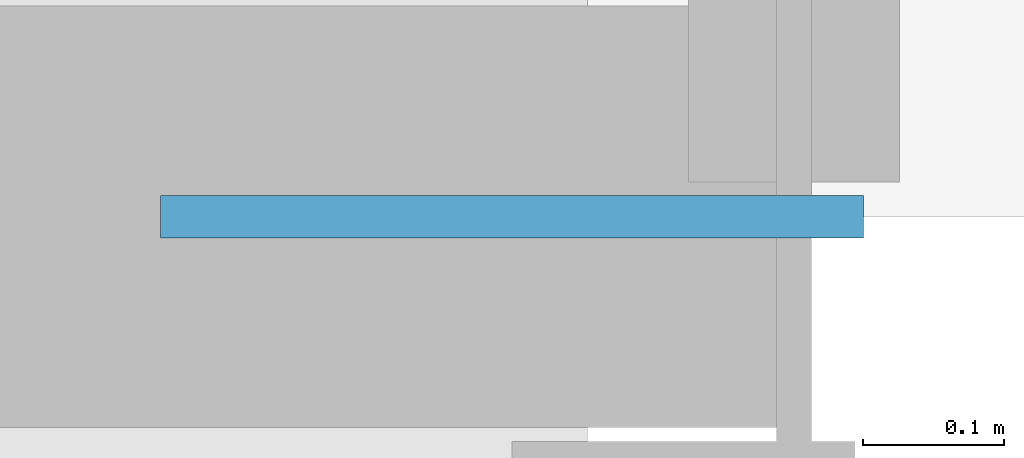
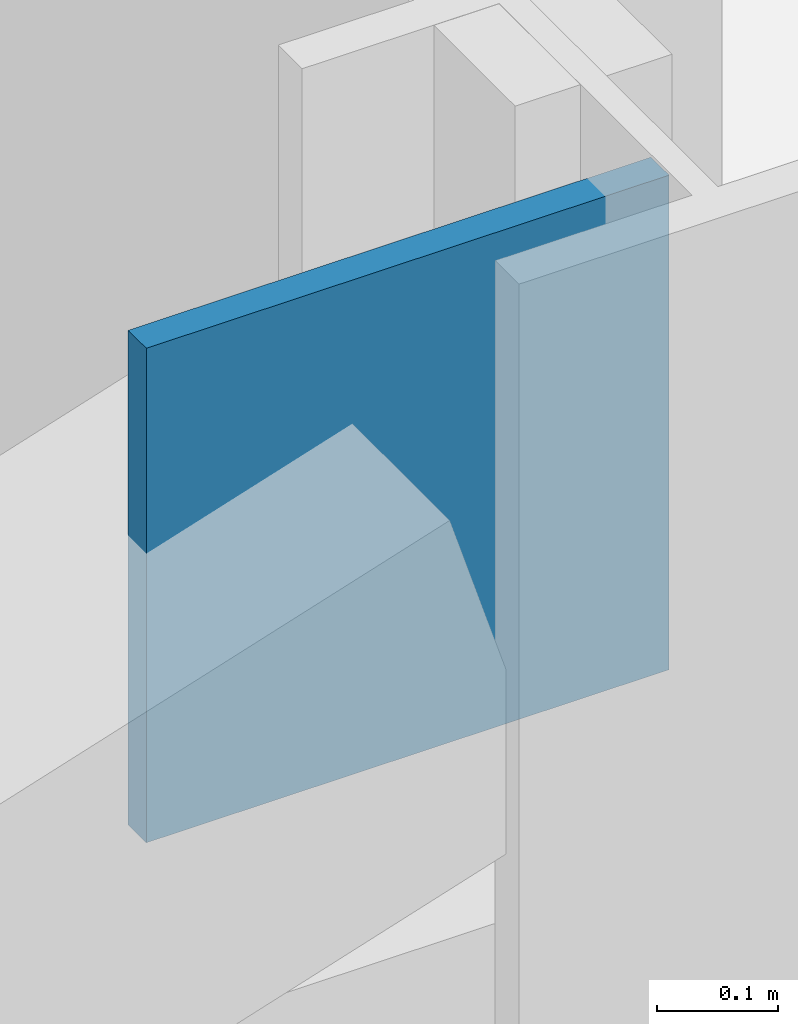
# One storey, part 21 of 30: 1 discrete accessory.
"""IFC4 building model written with IfcOpenShell, lengths in metres."""

from ifc_helpers import new_model, si_unit, direction, frame, origin, origin_2d, place, context, subcontext, project, spatial, rectangle, extrude, material, layer, layer_set, type_object, element, save


model = new_model("IFC4")

# Units and contexts
model_context = context("Model", 3, precision=1e-05, world=origin(), true_north=direction((0.0, 1.0)))
body_context = subcontext(model_context, "Body", "Model", "MODEL_VIEW")
ifc_project = project(units=[si_unit("LENGTHUNIT", "METRE"), si_unit("AREAUNIT", "SQUARE_METRE"), si_unit("VOLUMEUNIT", "CUBIC_METRE"), si_unit("PLANEANGLEUNIT", "RADIAN"), si_unit("MASSUNIT", "GRAM", prefix="KILO")], contexts=[model_context])

# Site, building, storey
site_placement = place(None, origin())
site = spatial("IfcSite", under=ifc_project, at=site_placement, CompositionType="ELEMENT")
building_placement = place(site_placement, origin())
building = spatial("IfcBuilding", under=site, at=building_placement, Name="Mahtab Terrace Research Tower", CompositionType="ELEMENT")
storey_placement = place(building_placement, frame((0.0, 0.0, 209.10009765625)))
storey = spatial("IfcBuildingStorey", under=building, at=storey_placement, Name="L50", CompositionType="ELEMENT", Elevation=209.10009765625)

# Discrete accessory
ifc_material = material(Name="Steel ASTM A992 Gr 50", Category="steel")
ifc_layer = layer(ifc_material, 0.030029296875)
ifc_layer_set = layer_set([ifc_layer], Name="Gusset plate 500x500x30")
discrete_accessory_type = type_object("IfcDiscreteAccessoryType", Name="Gusset plate 500x500x30", PredefinedType="USERDEFINED", material=ifc_layer_set)
discrete_accessory_placement = place(storey_placement, frame((17.79931640625, -23.0, 2.870849609375), z_axis=(0.0, 0.0, 1.0), x_axis=(1.0, 0.0, 0.0)))
element("IfcDiscreteAccessory", 1, at=discrete_accessory_placement, inside=storey, type_object=discrete_accessory_type, Name="Gusset plate", ObjectType="GUSSET PLATE", PredefinedType="USERDEFINED", context=body_context, shape_type="SweptSolid", body=[
    extrude(rectangle(XDim=0.5, YDim=0.030029296875, at=origin_2d()), origin(), (0.0, 0.0, 1.0), 0.5),
])

save(model, "model.ifc")
